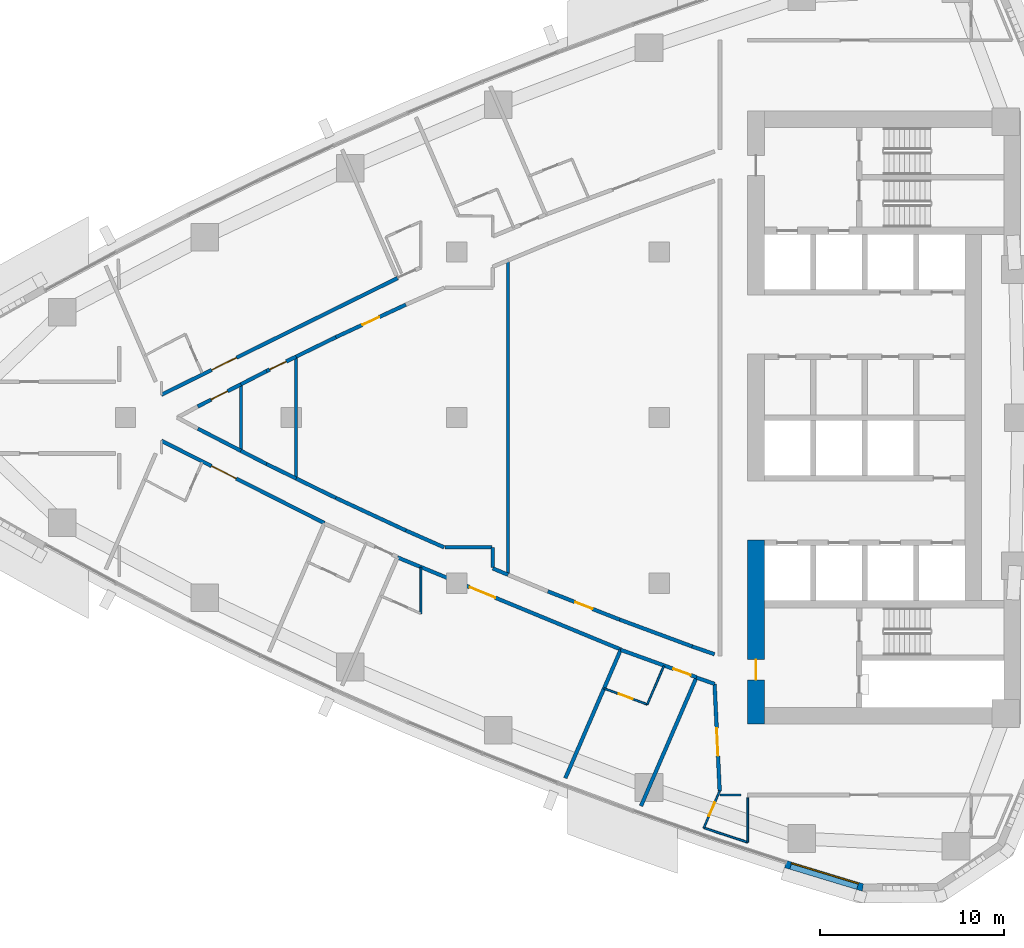
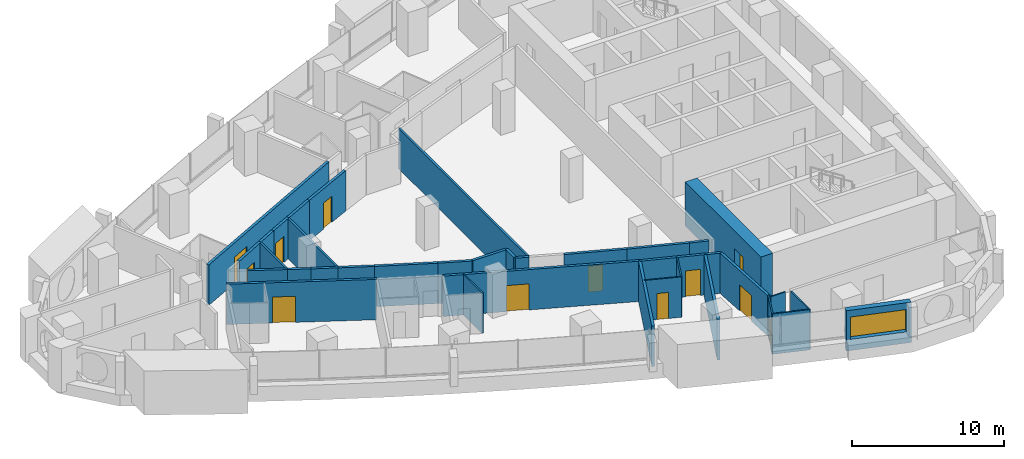
# One storey, part 9 of 17: 37 walls, 12 doors, 1 window, 13 openings.
"""IFC4 building model written with IfcOpenShell, lengths in metres."""

from ifc_helpers import new_model, si_unit, direction, frame, frame_2d, origin, place, context, subcontext, project, spatial, polyline, rectangle, outline, extrude, material, layer, layer_set, type_object, element, fill, save


model = new_model("IFC4")

# Units and contexts
model_context = context("Model", 3, precision=1e-05, world=origin(), true_north=direction((0.0, 1.0)))
body_context = subcontext(model_context, "Body", "Model", "MODEL_VIEW")
ifc_project = project(units=[si_unit("LENGTHUNIT", "METRE"), si_unit("AREAUNIT", "SQUARE_METRE"), si_unit("VOLUMEUNIT", "CUBIC_METRE"), si_unit("PLANEANGLEUNIT", "RADIAN"), si_unit("MASSUNIT", "GRAM", prefix="KILO")], contexts=[model_context])

# Site, building, storey
site_placement = place(None, origin())
site = spatial("IfcSite", under=ifc_project, at=site_placement, CompositionType="ELEMENT")
building_placement = place(site_placement, origin())
building = spatial("IfcBuilding", under=site, at=building_placement, Name="Ostrand Prow Hotel Tower", CompositionType="ELEMENT")
storey_placement = place(building_placement, frame((0.0, 0.0, 133.75)))
storey = spatial("IfcBuildingStorey", under=building, at=storey_placement, Name="L32", CompositionType="ELEMENT", Elevation=133.75)

# Wall, opening, door
ifc_material_1 = material(Name="Concrete C70/85", Category="concrete")
ifc_layer_1 = layer(ifc_material_1, 0.89990234375)
ifc_layer_set_1 = layer_set([ifc_layer_1], Name="Concrete C70/85")
wall_type_1 = type_object("IfcWallType", Name="Core wall 900 C70/85", PredefinedType="SHEAR", material=ifc_layer_set_1)
wall_1_placement = place(storey_placement, frame((50.25, -16.64990234375, 0.0), z_axis=(0.0, 0.0, 1.0), x_axis=(0.0, 1.0, 0.0)))
wall_1 = element("IfcWall", 1, at=wall_1_placement, inside=storey, type_object=wall_type_1, Name="Core wall CW-W-S", PredefinedType="SHEAR", context=body_context, shape_type="SweptSolid", body=[
    extrude(rectangle(XDim=10.0, YDim=0.89990234375, at=frame_2d((5.0, 0.0))), origin(), (0.0, 0.0, 1.0), 3.550048828125),
])
opening_1_placement = place(wall_1_placement, frame((2.39990234375, 0.0, 0.0)))
opening_1 = element("IfcOpeningElement", 2, at=opening_1_placement, cuts=wall_1, Name="Opening FD1", PredefinedType="OPENING", context=body_context, shape_type="SweptSolid", body=[
    extrude(rectangle(XDim=1.10009765625, YDim=2.10009765625, at=frame_2d((0.550048828125, 1.050048828125))), frame((0.0, 0.4599609375, 0.0), z_axis=(0.0, -1.0, 0.0), x_axis=(1.0, 0.0, 0.0)), (0.0, 0.0, 1.0), 0.919921875),
])
ifc_material_2 = material(Name="Steel fire door", Category="steel")
door_type_1 = type_object("IfcDoorType", Name="Fire door 1100 EI120", OperationType="SINGLE_SWING_RIGHT", PredefinedType="DOOR", material=ifc_material_2)
door_1_placement = place(opening_1_placement, origin())
door_1 = element("IfcDoor", 3, at=door_1_placement, inside=storey, type_object=door_type_1, Name="FIRE DOOR", OperationType="SINGLE_SWING_RIGHT", OverallHeight=2.10009765625, OverallWidth=1.10009765625, PredefinedType="DOOR", context=body_context, shape_type="SweptSolid", body=[
    extrude(rectangle(XDim=1.10009765625, YDim=2.10009765625, at=frame_2d((0.550048828125, 1.050048828125))), frame((0.0, 0.02490234375, 0.0), z_axis=(0.0, -1.0, 0.0), x_axis=(1.0, 0.0, 0.0)), (0.0, 0.0, 1.0), 0.050048828125),
])
fill(opening_1, door_1)

# Wall
ifc_material_3 = material(Name="Plasterboard partition")
ifc_layer_2 = layer(ifc_material_3, 0.10009765625)
ifc_layer_set_2 = layer_set([ifc_layer_2], Name="Plasterboard partition")
wall_type_2 = type_object("IfcWallType", Name="Partition 100 bathroom wall", PredefinedType="PARTITIONING", material=ifc_layer_set_2)
wall_2_placement = place(storey_placement, frame((45.246826171875, -13.48974609375, 0.0), z_axis=(0.0, 0.0, 1.0), x_axis=(-0.395960119478, -0.918267708124, 0.0)))
element("IfcWall", 4, at=wall_2_placement, inside=storey, type_object=wall_type_2, Name="BATHROOM WALL", PredefinedType="PARTITIONING", context=body_context, shape_type="SweptSolid", body=[
    extrude(rectangle(XDim=2.280029296875, YDim=0.10009765625, at=frame_2d((1.14013671875, 0.0))), origin(), (0.0, 0.0, 1.0), 3.25),
])

# Wall, opening, door
wall_3_placement = place(storey_placement, frame((44.34375, -15.58349609375, 0.0), z_axis=(0.0, 0.0, 1.0), x_axis=(-0.937752290113, 0.347304826323, 0.0)))
wall_3 = element("IfcWall", 5, at=wall_3_placement, inside=storey, type_object=wall_type_2, Name="BATHROOM WALL", PredefinedType="PARTITIONING", context=body_context, shape_type="SweptSolid", body=[
    extrude(rectangle(XDim=2.503173828125, YDim=0.10009765625, at=frame_2d((1.25146484375, 0.0))), origin(), (0.0, 0.0, 1.0), 3.25),
])
opening_2_placement = place(wall_3_placement, frame((0.85009765625, 0.0, 0.0)))
opening_2 = element("IfcOpeningElement", 6, at=opening_2_placement, cuts=wall_3, Name="Opening D2", PredefinedType="OPENING", context=body_context, shape_type="SweptSolid", body=[
    extrude(rectangle(XDim=0.800048828125, YDim=2.10009765625, at=frame_2d((0.39990234375, 1.050048828125))), frame((0.0, 0.06005859375, 0.0), z_axis=(0.0, -1.0, 0.0), x_axis=(1.0, 0.0, 0.0)), (0.0, 0.0, 1.0), 0.1201171875),
])
ifc_material_4 = material(Name="Timber door leaf", Category="wood")
door_type_2 = type_object("IfcDoorType", Name="Bathroom door 800", OperationType="SINGLE_SWING_LEFT", PredefinedType="DOOR", material=ifc_material_4)
door_2_placement = place(opening_2_placement, origin())
door_2 = element("IfcDoor", 7, at=door_2_placement, inside=storey, type_object=door_type_2, Name="DOOR", OperationType="SINGLE_SWING_LEFT", OverallHeight=2.10009765625, OverallWidth=0.800048828125, PredefinedType="DOOR", context=body_context, shape_type="SweptSolid", body=[
    extrude(rectangle(XDim=0.800048828125, YDim=2.10009765625, at=frame_2d((0.39990234375, 1.050048828125))), frame((0.0, 0.02490234375, 0.0), z_axis=(0.0, -1.0, 0.0), x_axis=(1.0, 0.0, 0.0)), (0.0, 0.0, 1.0), 0.050048828125),
])
fill(opening_2, door_2)

wall_4_placement = place(storey_placement, frame((47.416015625, -22.2890625, 0.0), z_axis=(0.0, 0.0, 1.0), x_axis=(0.396028123143, 0.918238381729, 0.0)))
wall_4 = element("IfcWall", 8, at=wall_4_placement, inside=storey, type_object=wall_type_2, Name="BATHROOM WALL", PredefinedType="PARTITIONING", context=body_context, shape_type="SweptSolid", body=[
    extrude(rectangle(XDim=2.1787109375, YDim=0.10009765625, at=frame_2d((1.08935546875, 0.0))), origin(), (0.0, 0.0, 1.0), 3.25),
])
opening_3_placement = place(wall_4_placement, frame((0.699951171875, 0.0, 0.0)))
opening_3 = element("IfcOpeningElement", 9, at=opening_3_placement, cuts=wall_4, Name="Opening D2", PredefinedType="OPENING", context=body_context, shape_type="SweptSolid", body=[
    extrude(rectangle(XDim=0.800048828125, YDim=2.10009765625, at=frame_2d((0.39990234375, 1.050048828125))), frame((0.0, 0.06005859375, 0.0), z_axis=(0.0, -1.0, 0.0), x_axis=(1.0, 0.0, 0.0)), (0.0, 0.0, 1.0), 0.1201171875),
])
door_3_placement = place(opening_3_placement, origin())
door_3 = element("IfcDoor", 10, at=door_3_placement, inside=storey, type_object=door_type_2, Name="DOOR", OperationType="SINGLE_SWING_LEFT", OverallHeight=2.10009765625, OverallWidth=0.800048828125, PredefinedType="DOOR", context=body_context, shape_type="SweptSolid", body=[
    extrude(rectangle(XDim=0.800048828125, YDim=2.10009765625, at=frame_2d((0.39990234375, 1.050048828125))), frame((0.0, 0.02490234375, 0.0), z_axis=(0.0, -1.0, 0.0), x_axis=(1.0, 0.0, 0.0)), (0.0, 0.0, 1.0), 0.050048828125),
])
fill(opening_3, door_3)

# Walls
wall_5_placement = place(storey_placement, frame((32.044921875, -8.13818359375, 0.0), z_axis=(0.0, 0.0, 1.0), x_axis=(0.0, -1.0, 0.0)))
element("IfcWall", 11, at=wall_5_placement, inside=storey, type_object=wall_type_2, Name="BATHROOM WALL", PredefinedType="PARTITIONING", context=body_context, shape_type="SweptSolid", body=[
    extrude(rectangle(XDim=2.52587890625, YDim=0.10009765625, at=frame_2d((1.262939453125, 0.0))), origin(), (0.0, 0.0, 1.0), 3.25),
])
wall_6_placement = place(storey_placement, frame((48.298583984375, -20.5048828125, 0.0), z_axis=(0.0, 0.0, 1.0), x_axis=(1.0, 0.0, 0.0)))
element("IfcWall", 12, at=wall_6_placement, inside=storey, type_object=wall_type_2, Name="BATHROOM WALL", PredefinedType="PARTITIONING", context=body_context, shape_type="SweptSolid", body=[
    extrude(rectangle(XDim=1.13525390625, YDim=0.10009765625, at=frame_2d((0.567626953125, 0.0))), origin(), (0.0, 0.0, 1.0), 3.25),
])
wall_7_placement = place(storey_placement, frame((49.800048828125, -20.65576171875, 0.0), z_axis=(0.0, 0.0, 1.0), x_axis=(0.0, -1.0, 0.0)))
element("IfcWall", 13, at=wall_7_placement, inside=storey, type_object=wall_type_2, Name="BATHROOM WALL", PredefinedType="PARTITIONING", context=body_context, shape_type="SweptSolid", body=[
    extrude(rectangle(XDim=2.41845703125, YDim=0.10009765625, at=frame_2d((1.209228515625, 0.0))), origin(), (0.0, 0.0, 1.0), 3.25),
])
wall_8_placement = place(storey_placement, frame((49.800048828125, -23.07421875, 0.0), z_axis=(0.0, 0.0, 1.0), x_axis=(-0.949844078437, 0.312723882455, 0.0)))
element("IfcWall", 14, at=wall_8_placement, inside=storey, type_object=wall_type_2, Name="BATHROOM WALL", PredefinedType="PARTITIONING", context=body_context, shape_type="SweptSolid", body=[
    extrude(rectangle(XDim=2.510009765625, YDim=0.10009765625, at=frame_2d((1.2548828125, 0.0))), origin(), (0.0, 0.0, 1.0), 3.25),
])
ifc_material_5 = material(Name="Plasterboard partition")
ifc_layer_3 = layer(ifc_material_5, 0.14990234375)
ifc_layer_set_3 = layer_set([ifc_layer_3], Name="Plasterboard partition")
wall_type_3 = type_object("IfcWallType", Name="Partition 150 room partition", PredefinedType="PARTITIONING", material=ifc_layer_set_3)
wall_9_placement = place(storey_placement, frame((22.268798828125, -1.806640625, 0.0), z_axis=(0.0, 0.0, 1.0), x_axis=(0.0, 1.0, 0.0)))
element("IfcWall", 15, at=wall_9_placement, inside=storey, type_object=wall_type_3, Name="ROOM PARTITION", PredefinedType="PARTITIONING", context=body_context, shape_type="SweptSolid", body=[
    extrude(rectangle(XDim=3.61328125, YDim=0.14990234375, at=frame_2d((1.806640625, 0.0))), origin(), (0.0, 0.0, 1.0), 3.25),
])
wall_10_placement = place(storey_placement, frame((25.268798828125, -3.310302734375, 0.0), z_axis=(0.0, 0.0, 1.0), x_axis=(0.0, 1.0, 0.0)))
element("IfcWall", 16, at=wall_10_placement, inside=storey, type_object=wall_type_3, Name="ROOM PARTITION", PredefinedType="PARTITIONING", context=body_context, shape_type="SweptSolid", body=[
    extrude(rectangle(XDim=6.62060546875, YDim=0.14990234375, at=frame_2d((3.310302734375, 0.0))), origin(), (0.0, 0.0, 1.0), 3.25),
])
wall_11_placement = place(storey_placement, frame((36.784423828125, -8.541015625, 0.0), z_axis=(0.0, 0.0, 1.0), x_axis=(0.0, 1.0, 0.0)))
element("IfcWall", 17, at=wall_11_placement, inside=storey, type_object=wall_type_3, Name="ROOM PARTITION", PredefinedType="PARTITIONING", context=body_context, shape_type="SweptSolid", body=[
    extrude(rectangle(XDim=17.08203125, YDim=0.14990234375, at=frame_2d((8.541015625, 0.0))), origin(), (0.0, 0.0, 1.0), 3.25),
])

# Wall, opening, door
ifc_material_6 = material(Name="Plasterboard partition")
ifc_layer_4 = layer(ifc_material_6, 0.199951171875)
ifc_layer_set_4 = layer_set([ifc_layer_4], Name="Plasterboard partition")
wall_type_4 = type_object("IfcWallType", Name="Partition 200 corridor wall", PredefinedType="PARTITIONING", material=ifc_layer_set_4)
wall_12_placement = place(storey_placement, frame((17.949951171875, 1.238037109375, 0.0), z_axis=(0.0, 0.0, 1.0), x_axis=(0.896593504408, 0.44285447706, 0.0)))
wall_12 = element("IfcWall", 18, at=wall_12_placement, inside=storey, type_object=wall_type_4, Name="CORRIDOR WALL", PredefinedType="PARTITIONING", context=body_context, shape_type="SweptSolid", body=[
    extrude(rectangle(XDim=14.310302734375, YDim=0.199951171875, at=frame_2d((7.1552734375, 0.0))), origin(), (0.0, 0.0, 1.0), 3.25),
])
opening_4_placement = place(wall_12_placement, frame((3.050048828125, 0.0, 0.0)))
opening_4 = element("IfcOpeningElement", 19, at=opening_4_placement, cuts=wall_12, Name="Opening D15", PredefinedType="OPENING", context=body_context, shape_type="SweptSolid", body=[
    extrude(rectangle(XDim=1.5, YDim=2.10009765625, at=frame_2d((0.75, 1.050048828125))), frame((0.0, 0.10986328125, 0.0), z_axis=(0.0, -1.0, 0.0), x_axis=(1.0, 0.0, 0.0)), (0.0, 0.0, 1.0), 0.219970703125),
])
ifc_material_7 = material(Name="Timber door leaf", Category="wood")
door_type_3 = type_object("IfcDoorType", Name="Double door 1500", OperationType="DOUBLE_DOOR_SINGLE_SWING", PredefinedType="DOOR", material=ifc_material_7)
door_4_placement = place(opening_4_placement, origin())
door_4 = element("IfcDoor", 20, at=door_4_placement, inside=storey, type_object=door_type_3, Name="DOOR", OperationType="DOUBLE_DOOR_SINGLE_SWING", OverallHeight=2.10009765625, OverallWidth=1.5, PredefinedType="DOOR", context=body_context, shape_type="SweptSolid", body=[
    extrude(rectangle(XDim=1.5, YDim=2.10009765625, at=frame_2d((0.75, 1.050048828125))), frame((0.0, 0.02490234375, 0.0), z_axis=(0.0, -1.0, 0.0), x_axis=(1.0, 0.0, 0.0)), (0.0, 0.0, 1.0), 0.050048828125),
])
fill(opening_4, door_4)

wall_13_placement = place(storey_placement, frame((17.949951171875, -1.2607421875, 0.0), z_axis=(0.0, 0.0, 1.0), x_axis=(0.892679126003, -0.450692775623, 0.0)))
wall_13 = element("IfcWall", 21, at=wall_13_placement, inside=storey, type_object=wall_type_4, Name="CORRIDOR WALL", PredefinedType="PARTITIONING", context=body_context, shape_type="SweptSolid", body=[
    extrude(rectangle(XDim=9.9267578125, YDim=0.199951171875, at=frame_2d((4.96337890625, 0.0))), origin(), (0.0, 0.0, 1.0), 3.25),
])
opening_5_placement = place(wall_13_placement, frame((3.050048828125, 0.0, 0.0)))
opening_5 = element("IfcOpeningElement", 22, at=opening_5_placement, cuts=wall_13, Name="Opening D15", PredefinedType="OPENING", context=body_context, shape_type="SweptSolid", body=[
    extrude(rectangle(XDim=1.5, YDim=2.10009765625, at=frame_2d((0.75, 1.050048828125))), frame((0.0, 0.10986328125, 0.0), z_axis=(0.0, -1.0, 0.0), x_axis=(1.0, 0.0, 0.0)), (0.0, 0.0, 1.0), 0.219970703125),
])
door_5_placement = place(opening_5_placement, origin())
door_5 = element("IfcDoor", 23, at=door_5_placement, inside=storey, type_object=door_type_3, Name="DOOR", OperationType="DOUBLE_DOOR_SINGLE_SWING", OverallHeight=2.10009765625, OverallWidth=1.5, PredefinedType="DOOR", context=body_context, shape_type="SweptSolid", body=[
    extrude(rectangle(XDim=1.5, YDim=2.10009765625, at=frame_2d((0.75, 1.050048828125))), frame((0.0, 0.02490234375, 0.0), z_axis=(0.0, -1.0, 0.0), x_axis=(1.0, 0.0, 0.0)), (0.0, 0.0, 1.0), 0.050048828125),
])
fill(opening_5, door_5)

wall_14_placement = place(storey_placement, frame((30.7724609375, -7.593994140625, 0.0), z_axis=(0.0, 0.0, 1.0), x_axis=(0.924461873383, -0.381274500407, 0.0)))
wall_14 = element("IfcWall", 24, at=wall_14_placement, inside=storey, type_object=wall_type_4, Name="CORRIDOR WALL", PredefinedType="PARTITIONING", context=body_context, shape_type="SweptSolid", body=[
    extrude(rectangle(XDim=13.12744140625, YDim=0.199951171875, at=frame_2d((6.563720703125, 0.0))), origin(), (0.0, 0.0, 1.0), 3.25),
])
opening_6_placement = place(wall_14_placement, frame((4.25, 0.0, 0.0)))
opening_6 = element("IfcOpeningElement", 25, at=opening_6_placement, cuts=wall_14, Name="Opening D15", PredefinedType="OPENING", context=body_context, shape_type="SweptSolid", body=[
    extrude(rectangle(XDim=1.5, YDim=2.10009765625, at=frame_2d((0.75, 1.050048828125))), frame((0.0, 0.10986328125, 0.0), z_axis=(0.0, -1.0, 0.0), x_axis=(1.0, 0.0, 0.0)), (0.0, 0.0, 1.0), 0.219970703125),
])
door_6_placement = place(opening_6_placement, origin())
door_6 = element("IfcDoor", 26, at=door_6_placement, inside=storey, type_object=door_type_3, Name="DOOR", OperationType="DOUBLE_DOOR_SINGLE_SWING", OverallHeight=2.10009765625, OverallWidth=1.5, PredefinedType="DOOR", context=body_context, shape_type="SweptSolid", body=[
    extrude(rectangle(XDim=1.5, YDim=2.10009765625, at=frame_2d((0.75, 1.050048828125))), frame((0.0, 0.02490234375, 0.0), z_axis=(0.0, -1.0, 0.0), x_axis=(1.0, 0.0, 0.0)), (0.0, 0.0, 1.0), 0.050048828125),
])
fill(opening_6, door_6)

wall_15_placement = place(storey_placement, frame((42.900390625, -12.617431640625, 0.0), z_axis=(0.0, 0.0, 1.0), x_axis=(0.940555877924, -0.339638985546, 0.0)))
wall_15 = element("IfcWall", 27, at=wall_15_placement, inside=storey, type_object=wall_type_4, Name="CORRIDOR WALL", PredefinedType="PARTITIONING", context=body_context, shape_type="SweptSolid", body=[
    extrude(rectangle(XDim=4.380615234375, YDim=0.199951171875, at=frame_2d((2.1904296875, 0.0))), origin(), (0.0, 0.0, 1.0), 3.25),
])
opening_7_placement = place(wall_15_placement, frame((3.050048828125, 0.0, 0.0)))
opening_7 = element("IfcOpeningElement", 28, at=opening_7_placement, cuts=wall_15, Name="Opening D1R", PredefinedType="OPENING", context=body_context, shape_type="SweptSolid", body=[
    extrude(rectangle(XDim=1.0, YDim=2.10009765625, at=frame_2d((0.5, 1.050048828125))), frame((0.0, 0.10986328125, 0.0), z_axis=(0.0, -1.0, 0.0), x_axis=(1.0, 0.0, 0.0)), (0.0, 0.0, 1.0), 0.219970703125),
])
ifc_material_8 = material(Name="Timber door leaf", Category="wood")
door_type_4 = type_object("IfcDoorType", Name="Guest room door 1000 right", OperationType="SINGLE_SWING_RIGHT", PredefinedType="DOOR", material=ifc_material_8)
door_7_placement = place(opening_7_placement, origin())
door_7 = element("IfcDoor", 29, at=door_7_placement, inside=storey, type_object=door_type_4, Name="DOOR", OperationType="SINGLE_SWING_RIGHT", OverallHeight=2.10009765625, OverallWidth=1.0, PredefinedType="DOOR", context=body_context, shape_type="SweptSolid", body=[
    extrude(rectangle(XDim=1.0, YDim=2.10009765625, at=frame_2d((0.5, 1.050048828125))), frame((0.0, 0.02490234375, 0.0), z_axis=(0.0, -1.0, 0.0), x_axis=(1.0, 0.0, 0.0)), (0.0, 0.0, 1.0), 0.050048828125),
])
fill(opening_7, door_7)

wall_16_placement = place(storey_placement, frame((19.928466796875, 0.60205078125, 0.0), z_axis=(0.0, 0.0, 1.0), x_axis=(0.889134700325, 0.457645588505, 0.0)))
wall_16 = element("IfcWall", 30, at=wall_16_placement, inside=storey, type_object=wall_type_4, Name="CORRIDOR WALL", PredefinedType="PARTITIONING", context=body_context, shape_type="SweptSolid", body=[
    extrude(rectangle(XDim=2.632080078125, YDim=0.199951171875, at=frame_2d((1.31591796875, 0.0))), origin(), (0.0, 0.0, 1.0), 3.25),
])
opening_8_placement = place(wall_16_placement, frame((0.816162109375, 0.0, 0.0)))
opening_8 = element("IfcOpeningElement", 31, at=opening_8_placement, cuts=wall_16, Name="Opening D1R", PredefinedType="OPENING", context=body_context, shape_type="SweptSolid", body=[
    extrude(rectangle(XDim=1.0, YDim=2.10009765625, at=frame_2d((0.5, 1.050048828125))), frame((0.0, 0.10986328125, 0.0), z_axis=(0.0, -1.0, 0.0), x_axis=(1.0, 0.0, 0.0)), (0.0, 0.0, 1.0), 0.219970703125),
])
door_8_placement = place(opening_8_placement, origin())
door_8 = element("IfcDoor", 32, at=door_8_placement, inside=storey, type_object=door_type_4, Name="DOOR", OperationType="SINGLE_SWING_RIGHT", OverallHeight=2.10009765625, OverallWidth=1.0, PredefinedType="DOOR", context=body_context, shape_type="SweptSolid", body=[
    extrude(rectangle(XDim=1.0, YDim=2.10009765625, at=frame_2d((0.5, 1.050048828125))), frame((0.0, 0.02490234375, 0.0), z_axis=(0.0, -1.0, 0.0), x_axis=(1.0, 0.0, 0.0)), (0.0, 0.0, 1.0), 0.050048828125),
])
fill(opening_8, door_8)

# Wall
wall_17_placement = place(storey_placement, frame((22.268798828125, -1.806640625, 0.0), z_axis=(0.0, 0.0, 1.0), x_axis=(-0.889134700325, 0.457645588505, 0.0)))
element("IfcWall", 33, at=wall_17_placement, inside=storey, type_object=wall_type_4, Name="CORRIDOR WALL", PredefinedType="PARTITIONING", context=body_context, shape_type="SweptSolid", body=[
    extrude(rectangle(XDim=2.632080078125, YDim=0.199951171875, at=frame_2d((1.31591796875, 0.0))), origin(), (0.0, 0.0, 1.0), 3.25),
])

# Wall, opening, door
wall_18_placement = place(storey_placement, frame((23.65869140625, 2.52197265625, 0.0), z_axis=(0.0, 0.0, 1.0), x_axis=(0.898127473276, 0.439735195028, 0.0)))
wall_18 = element("IfcWall", 34, at=wall_18_placement, inside=storey, type_object=wall_type_4, Name="CORRIDOR WALL", PredefinedType="PARTITIONING", context=body_context, shape_type="SweptSolid", body=[
    extrude(rectangle(XDim=1.792724609375, YDim=0.199951171875, at=frame_2d((0.896484375, 0.0))), origin(), (0.0, 0.0, 1.0), 3.25),
])
opening_9_placement = place(wall_18_placement, frame((0.1962890625, 0.0, 0.0)))
opening_9 = element("IfcOpeningElement", 35, at=opening_9_placement, cuts=wall_18, Name="Opening D1", PredefinedType="OPENING", context=body_context, shape_type="SweptSolid", body=[
    extrude(rectangle(XDim=1.0, YDim=2.10009765625, at=frame_2d((0.5, 1.050048828125))), frame((0.0, 0.10986328125, 0.0), z_axis=(0.0, -1.0, 0.0), x_axis=(1.0, 0.0, 0.0)), (0.0, 0.0, 1.0), 0.219970703125),
])
ifc_material_9 = material(Name="Timber door leaf", Category="wood")
door_type_5 = type_object("IfcDoorType", Name="Guest room door 1000", OperationType="SINGLE_SWING_LEFT", PredefinedType="DOOR", material=ifc_material_9)
door_9_placement = place(opening_9_placement, origin())
door_9 = element("IfcDoor", 36, at=door_9_placement, inside=storey, type_object=door_type_5, Name="DOOR", OperationType="SINGLE_SWING_LEFT", OverallHeight=2.10009765625, OverallWidth=1.0, PredefinedType="DOOR", context=body_context, shape_type="SweptSolid", body=[
    extrude(rectangle(XDim=1.0, YDim=2.10009765625, at=frame_2d((0.5, 1.050048828125))), frame((0.0, 0.02490234375, 0.0), z_axis=(0.0, -1.0, 0.0), x_axis=(1.0, 0.0, 0.0)), (0.0, 0.0, 1.0), 0.050048828125),
])
fill(opening_9, door_9)

# Walls
for number, where, z_axis, x_axis, name in (
    (37, (23.65869140625, -2.52197265625, 0.0), (0.0, 0.0, 1.0), (-0.88914982879, 0.457616195039, 0.0), "CORRIDOR WALL"),
    (38, (22.268798828125, 1.806640625, 0.0), (0.0, 0.0, 1.0), (0.88914982879, 0.457616195039, 0.0), "CORRIDOR WALL"),
):
    element("IfcWall", number, at=place(storey_placement, frame(where, z_axis=z_axis, x_axis=x_axis)), inside=storey, type_object=wall_type_4, Name=name, PredefinedType="PARTITIONING", context=body_context, shape_type="SweptSolid", body=[
        extrude(rectangle(XDim=1.563232421875, YDim=0.199951171875, at=frame_2d((0.78173828125, 0.0))), origin(), (0.0, 0.0, 1.0), 3.25),
    ])
wall_19_placement = place(storey_placement, frame((25.268798828125, -3.310302734375, 0.0), z_axis=(0.0, 0.0, 1.0), x_axis=(-0.898127473276, 0.439735195028, 0.0)))
element("IfcWall", 39, at=wall_19_placement, inside=storey, type_object=wall_type_4, Name="CORRIDOR WALL", PredefinedType="PARTITIONING", context=body_context, shape_type="SweptSolid", body=[
    extrude(rectangle(XDim=1.792724609375, YDim=0.199951171875, at=frame_2d((0.896484375, 0.0))), origin(), (0.0, 0.0, 1.0), 3.25),
])

# Wall, opening, door
wall_20_placement = place(storey_placement, frame((27.4267578125, 4.36669921875, 0.0), z_axis=(0.0, 0.0, 1.0), x_axis=(0.906830275285, 0.421495968933, 0.0)))
wall_20 = element("IfcWall", 40, at=wall_20_placement, inside=storey, type_object=wall_type_4, Name="CORRIDOR WALL", PredefinedType="PARTITIONING", context=body_context, shape_type="SweptSolid", body=[
    extrude(rectangle(XDim=4.1953125, YDim=0.199951171875, at=frame_2d((2.09765625, 0.0))), origin(), (0.0, 0.0, 1.0), 3.25),
])
opening_10_placement = place(wall_20_placement, frame((1.59765625, 0.0, 0.0)))
opening_10 = element("IfcOpeningElement", 41, at=opening_10_placement, cuts=wall_20, Name="Opening D1R", PredefinedType="OPENING", context=body_context, shape_type="SweptSolid", body=[
    extrude(rectangle(XDim=1.0, YDim=2.10009765625, at=frame_2d((0.5, 1.050048828125))), frame((0.0, 0.10986328125, 0.0), z_axis=(0.0, -1.0, 0.0), x_axis=(1.0, 0.0, 0.0)), (0.0, 0.0, 1.0), 0.219970703125),
])
door_10_placement = place(opening_10_placement, origin())
door_10 = element("IfcDoor", 42, at=door_10_placement, inside=storey, type_object=door_type_4, Name="DOOR", OperationType="SINGLE_SWING_RIGHT", OverallHeight=2.10009765625, OverallWidth=1.0, PredefinedType="DOOR", context=body_context, shape_type="SweptSolid", body=[
    extrude(rectangle(XDim=1.0, YDim=2.10009765625, at=frame_2d((0.5, 1.050048828125))), frame((0.0, 0.02490234375, 0.0), z_axis=(0.0, -1.0, 0.0), x_axis=(1.0, 0.0, 0.0)), (0.0, 0.0, 1.0), 0.050048828125),
])
fill(opening_10, door_10)

# Walls
wall_21_placement = place(storey_placement, frame((36.784423828125, -8.541015625, 0.0), z_axis=(0.0, 0.0, 1.0), x_axis=(-0.922997009646, 0.384807120756, 0.0)))
element("IfcWall", 43, at=wall_21_placement, inside=storey, type_object=wall_type_4, Name="CORRIDOR WALL", PredefinedType="PARTITIONING", context=body_context, shape_type="SweptSolid", body=[
    extrude(rectangle(XDim=0.904052734375, YDim=0.199951171875, at=frame_2d((0.4521484375, 0.0))), origin(), (0.0, 0.0, 1.0), 3.25),
])
wall_22_placement = place(storey_placement, frame((33.307861328125, -7.050048828125, 0.0), z_axis=(0.0, 0.0, 1.0), x_axis=(-0.915102334452, 0.403221672881, 0.0)))
element("IfcWall", 44, at=wall_22_placement, inside=storey, type_object=wall_type_4, Name="CORRIDOR WALL", PredefinedType="PARTITIONING", context=body_context, shape_type="SweptSolid", body=[
    extrude(rectangle(XDim=2.269287109375, YDim=0.199951171875, at=frame_2d((1.134765625, 0.0))), origin(), (0.0, 0.0, 1.0), 3.25),
])
wall_23_placement = place(storey_placement, frame((31.231201171875, -6.135009765625, 0.0), z_axis=(0.0, 0.0, 1.0), x_axis=(-0.906830275285, 0.421495968933, 0.0)))
element("IfcWall", 45, at=wall_23_placement, inside=storey, type_object=wall_type_4, Name="CORRIDOR WALL", PredefinedType="PARTITIONING", context=body_context, shape_type="SweptSolid", body=[
    extrude(rectangle(XDim=4.1953125, YDim=0.199951171875, at=frame_2d((2.09765625, 0.0))), origin(), (0.0, 0.0, 1.0), 3.25),
])
for number, where, z_axis, x_axis, name in (
    (46, (27.4267578125, -4.36669921875, 0.0), (0.0, 0.0, 1.0), (-0.898155255728, 0.439678446831, 0.0), "CORRIDOR WALL"),
    (47, (25.268798828125, 3.310302734375, 0.0), (0.0, 0.0, 1.0), (0.898155255728, 0.439678446831, 0.0), "CORRIDOR WALL"),
):
    element("IfcWall", number, at=place(storey_placement, frame(where, z_axis=z_axis, x_axis=x_axis)), inside=storey, type_object=wall_type_4, Name=name, PredefinedType="PARTITIONING", context=body_context, shape_type="SweptSolid", body=[
        extrude(rectangle(XDim=2.402587890625, YDim=0.199951171875, at=frame_2d((1.201171875, 0.0))), origin(), (0.0, 0.0, 1.0), 3.25),
    ])

# Wall, opening, door
wall_24_placement = place(storey_placement, frame((42.84716796875, -10.976806640625, 0.0), z_axis=(0.0, 0.0, 1.0), x_axis=(-0.930576677263, 0.36609704688, 0.0)))
wall_24 = element("IfcWall", 48, at=wall_24_placement, inside=storey, type_object=wall_type_4, Name="CORRIDOR WALL", PredefinedType="PARTITIONING", context=body_context, shape_type="SweptSolid", body=[
    extrude(rectangle(XDim=4.1953125, YDim=0.199951171875, at=frame_2d((2.09765625, 0.0))), origin(), (0.0, 0.0, 1.0), 3.25),
])
opening_11_placement = place(wall_24_placement, frame((1.59765625, 0.0, 0.0)))
opening_11 = element("IfcOpeningElement", 49, at=opening_11_placement, cuts=wall_24, Name="Opening D1", PredefinedType="OPENING", context=body_context, shape_type="SweptSolid", body=[
    extrude(rectangle(XDim=1.0, YDim=2.10009765625, at=frame_2d((0.5, 1.050048828125))), frame((0.0, 0.10986328125, 0.0), z_axis=(0.0, -1.0, 0.0), x_axis=(1.0, 0.0, 0.0)), (0.0, 0.0, 1.0), 0.219970703125),
])
door_11_placement = place(opening_11_placement, origin())
door_11 = element("IfcDoor", 50, at=door_11_placement, inside=storey, type_object=door_type_5, Name="DOOR", OperationType="SINGLE_SWING_LEFT", OverallHeight=2.10009765625, OverallWidth=1.0, PredefinedType="DOOR", context=body_context, shape_type="SweptSolid", body=[
    extrude(rectangle(XDim=1.0, YDim=2.10009765625, at=frame_2d((0.5, 1.050048828125))), frame((0.0, 0.02490234375, 0.0), z_axis=(0.0, -1.0, 0.0), x_axis=(1.0, 0.0, 0.0)), (0.0, 0.0, 1.0), 0.050048828125),
])
fill(opening_11, door_11)

# Walls
wall_25_placement = place(storey_placement, frame((46.78125, -12.43408203125, 0.0), z_axis=(0.0, 0.0, 1.0), x_axis=(-0.937732614305, 0.347357948044, 0.0)))
element("IfcWall", 51, at=wall_25_placement, inside=storey, type_object=wall_type_4, Name="CORRIDOR WALL", PredefinedType="PARTITIONING", context=body_context, shape_type="SweptSolid", body=[
    extrude(rectangle(XDim=4.1953125, YDim=0.199951171875, at=frame_2d((2.09765625, 0.0))), origin(), (0.0, 0.0, 1.0), 3.25),
])
wall_26_placement = place(storey_placement, frame((47.012451171875, -14.123779296875, 0.0), z_axis=(0.0, 0.0, 1.0), x_axis=(0.944566081842, -0.32832136244, 0.0)))
element("IfcWall", 52, at=wall_26_placement, inside=storey, type_object=wall_type_4, Name="CORRIDOR WALL", PredefinedType="PARTITIONING", context=body_context, shape_type="SweptSolid", body=[
    extrude(rectangle(XDim=1.04541015625, YDim=0.199951171875, at=frame_2d((0.522705078125, 0.0))), origin(), (0.0, 0.0, 1.0), 3.25),
])
wall_27_placement = place(storey_placement, frame((48.0, -12.85791015625, 0.0), z_axis=(0.0, 0.0, 1.0), x_axis=(-0.944517215109, 0.328461916152, 0.0)))
element("IfcWall", 53, at=wall_27_placement, inside=storey, type_object=wall_type_4, Name="CORRIDOR WALL", PredefinedType="PARTITIONING", context=body_context, shape_type="SweptSolid", body=[
    extrude(rectangle(XDim=1.290283203125, YDim=0.199951171875, at=frame_2d((0.64501953125, 0.0))), origin(), (0.0, 0.0, 1.0), 3.25),
])

# Wall, opening, door
wall_28_placement = place(storey_placement, frame((48.0, -14.467041015625, 0.0), z_axis=(0.0, 0.0, 1.0), x_axis=(0.047837808481, -0.998855116661, 0.0)))
wall_28 = element("IfcWall", 54, at=wall_28_placement, inside=storey, type_object=wall_type_4, Name="CORRIDOR WALL", PredefinedType="PARTITIONING", context=body_context, shape_type="SweptSolid", body=[
    extrude(rectangle(XDim=5.828125, YDim=0.199951171875, at=frame_2d((2.9140625, 0.0))), origin(), (0.0, 0.0, 1.0), 3.25),
])
opening_12_placement = place(wall_28_placement, frame((2.4140625, 0.0, 0.0)))
opening_12 = element("IfcOpeningElement", 55, at=opening_12_placement, cuts=wall_28, Name="Opening D15", PredefinedType="OPENING", context=body_context, shape_type="SweptSolid", body=[
    extrude(rectangle(XDim=1.5, YDim=2.10009765625, at=frame_2d((0.75, 1.050048828125))), frame((0.0, 0.10986328125, 0.0), z_axis=(0.0, -1.0, 0.0), x_axis=(1.0, 0.0, 0.0)), (0.0, 0.0, 1.0), 0.219970703125),
])
door_12_placement = place(opening_12_placement, origin())
door_12 = element("IfcDoor", 56, at=door_12_placement, inside=storey, type_object=door_type_3, Name="DOOR", OperationType="DOUBLE_DOOR_SINGLE_SWING", OverallHeight=2.10009765625, OverallWidth=1.5, PredefinedType="DOOR", context=body_context, shape_type="SweptSolid", body=[
    extrude(rectangle(XDim=1.5, YDim=2.10009765625, at=frame_2d((0.75, 1.050048828125))), frame((0.0, 0.02490234375, 0.0), z_axis=(0.0, -1.0, 0.0), x_axis=(1.0, 0.0, 0.0)), (0.0, 0.0, 1.0), 0.050048828125),
])
fill(opening_12, door_12)

# Walls
wall_29_placement = place(storey_placement, frame((35.954833984375, -8.153564453125, 0.0), z_axis=(0.0, 0.0, 1.0), x_axis=(-0.002643744892, 0.9999965053, 0.0)))
element("IfcWall", 57, at=wall_29_placement, inside=storey, type_object=wall_type_4, Name="CORRIDOR WALL", PredefinedType="PARTITIONING", context=body_context, shape_type="SweptSolid", body=[
    extrude(rectangle(XDim=1.108154296875, YDim=0.199951171875, at=frame_2d((0.55419921875, 0.0))), origin(), (0.0, 0.0, 1.0), 3.25),
])
wall_30_placement = place(storey_placement, frame((35.911865234375, -7.04541015625, 0.0), z_axis=(0.0, 0.0, 1.0), x_axis=(-0.999999981873, 0.000190403652, 0.0)))
element("IfcWall", 58, at=wall_30_placement, inside=storey, type_object=wall_type_4, Name="CORRIDOR WALL", PredefinedType="PARTITIONING", context=body_context, shape_type="SweptSolid", body=[
    extrude(rectangle(XDim=2.564453125, YDim=0.199951171875, at=frame_2d((1.2822265625, 0.0))), origin(), (0.0, 0.0, 1.0), 3.25),
])
ifc_material_10 = material(Name="Plasterboard partition")
ifc_layer_5 = layer(ifc_material_10, 0.199951171875)
ifc_layer_set_5 = layer_set([ifc_layer_5], Name="Plasterboard partition")
wall_type_5 = type_object("IfcWallType", Name="Partition 200 key partition", PredefinedType="PARTITIONING", material=ifc_layer_set_5)
wall_31_placement = place(storey_placement, frame((39.89453125, -19.58740234375, 0.0), z_axis=(0.0, 0.0, 1.0), x_axis=(0.395993528256, 0.918253301426, 0.0)))
element("IfcWall", 59, at=wall_31_placement, inside=storey, type_object=wall_type_5, Name="KEY PARTITION", PredefinedType="PARTITIONING", context=body_context, shape_type="SweptSolid", body=[
    extrude(rectangle(XDim=7.6103515625, YDim=0.199951171875, at=frame_2d((3.80517578125, 0.0))), origin(), (0.0, 0.0, 1.0), 3.25),
])
wall_32_placement = place(storey_placement, frame((44.0029296875, -21.102294921875, 0.0), z_axis=(0.0, 0.0, 1.0), x_axis=(0.39600636385, 0.918247766014, 0.0)))
element("IfcWall", 60, at=wall_32_placement, inside=storey, type_object=wall_type_5, Name="KEY PARTITION", PredefinedType="PARTITIONING", context=body_context, shape_type="SweptSolid", body=[
    extrude(rectangle(XDim=7.6201171875, YDim=0.199951171875, at=frame_2d((3.81005859375, 0.0))), origin(), (0.0, 0.0, 1.0), 3.25),
])

# Wall, opening, window
ifc_material_11 = material(Name="Precast concrete C40/50", Category="concrete")
ifc_layer_6 = layer(ifc_material_11, 0.39990234375)
ifc_layer_set_6 = layer_set([ifc_layer_6], Name="Precast concrete C40/50")
wall_type_6 = type_object("IfcWallType", Name="Stone-faced precast wall 400 mm", PredefinedType="NOTDEFINED", material=ifc_layer_set_6)
wall_33_placement = place(storey_placement, frame((51.85888671875, -24.257080078125, 0.0), z_axis=(0.0, 0.0, 1.0), x_axis=(0.956964488344, -0.290205044837, 0.0)))
wall_33 = element("IfcWall", 61, at=wall_33_placement, inside=storey, type_object=wall_type_6, Name="Stone-faced wall back 1", PredefinedType="NOTDEFINED", context=body_context, shape_type="SweptSolid", body=[
    extrude(outline(polyline([(0.0, -0.199951171875), (4.41845703125, -0.199951171875), (4.357421875, 0.199951171875), (0.0, 0.199951171875), (0.0, -0.199951171875)])), origin(), (0.0, 0.0, 1.0), 3.25),
])
opening_13_placement = place(wall_33_placement, frame((0.2939453125, 0.0, 0.89990234375)))
opening_13 = element("IfcOpeningElement", 62, at=opening_13_placement, cuts=wall_33, Name="Opening WS3-38", PredefinedType="OPENING", context=body_context, shape_type="SweptSolid", body=[
    extrude(rectangle(XDim=3.800048828125, YDim=1.800048828125, at=frame_2d((1.89990234375, 0.89990234375))), frame((0.0, 0.2099609375, 0.0), z_axis=(0.0, -1.0, 0.0), x_axis=(1.0, 0.0, 0.0)), (0.0, 0.0, 1.0), 0.419921875),
])
ifc_material_12 = material(Name="Insulated glass in bronze frame", Category="glass")
window_type = type_object("IfcWindowType", Name="Strip window 3800x1800", PartitioningType="SINGLE_PANEL", PredefinedType="WINDOW", material=ifc_material_12)
window_placement = place(opening_13_placement, origin())
window = element("IfcWindow", 63, at=window_placement, inside=storey, type_object=window_type, Name="Window back 1.1", OverallHeight=1.800048828125, OverallWidth=3.800048828125, PartitioningType="SINGLE_PANEL", PredefinedType="WINDOW", context=body_context, shape_type="SweptSolid", body=[
    extrude(rectangle(XDim=3.800048828125, YDim=1.800048828125, at=frame_2d((1.89990234375, 0.89990234375))), frame((0.0, 0.169921875, 0.0), z_axis=(0.0, -1.0, 0.0), x_axis=(1.0, 0.0, 0.0)), (0.0, 0.0, 1.0), 0.06005859375),
])
fill(opening_13, window)

save(model, "model.ifc")
